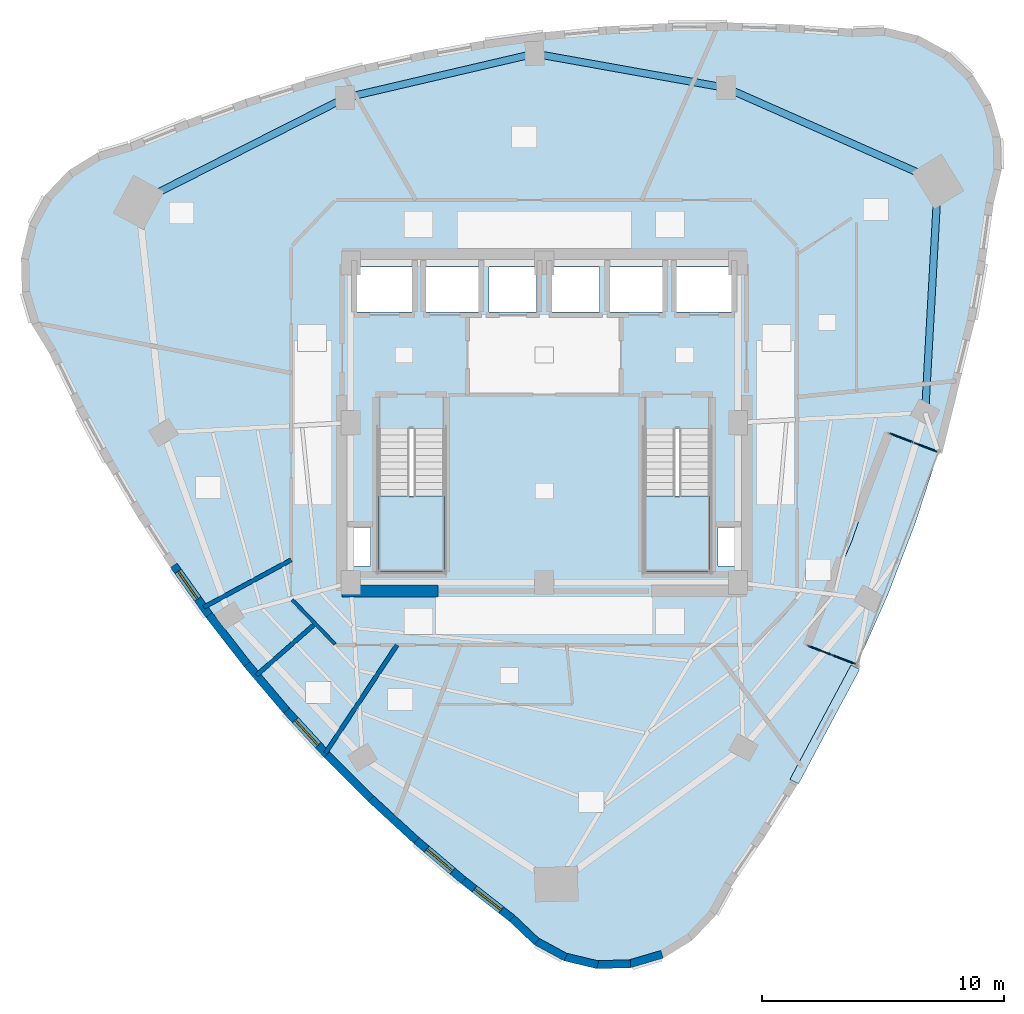
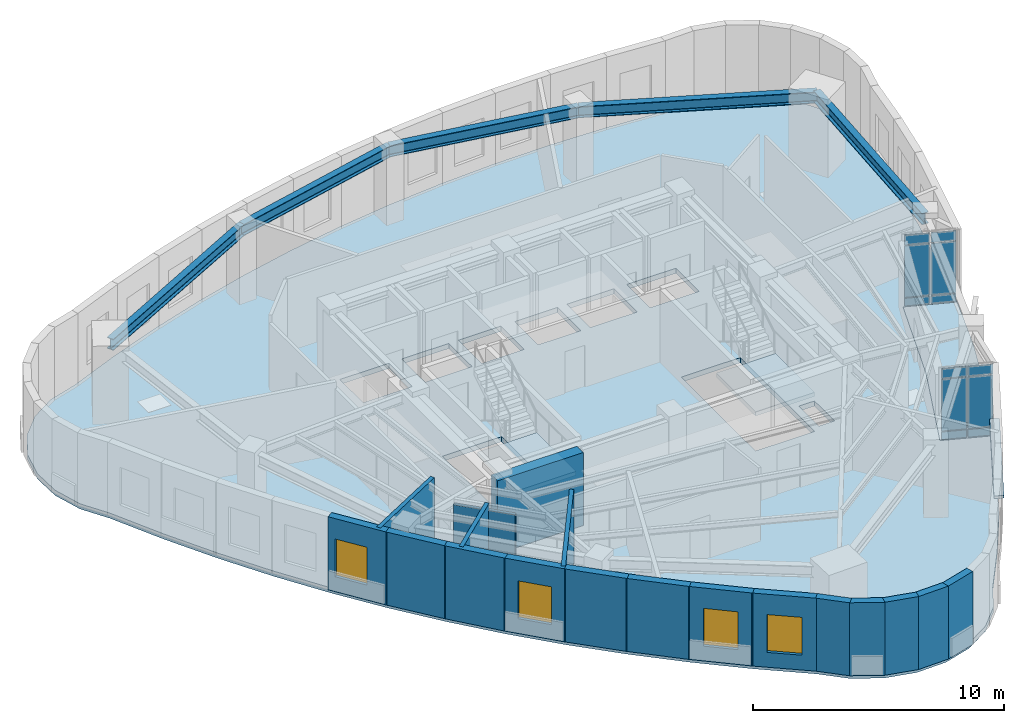
# One storey, part 3 of 10: 18 walls, 13 plates, 5 beams, 4 slabs, 4 windows, 4 openings, 4 elements without a shape of their own.
"""IFC4 building model written with IfcOpenShell, lengths in metres."""

from ifc_helpers import new_model, si_unit, direction, frame, frame_2d, origin, origin_2d, place, context, subcontext, project, spatial, polyline, rectangle, i_section, outline, extrude, material, layer, layer_set, material_profile, profile_set, type_object, element, fill, aggregate, save


model = new_model("IFC4")

# Units and contexts
model_context = context("Model", 3, precision=1e-05, world=origin(), true_north=direction((0.0, 1.0)))
body_context = subcontext(model_context, "Body", "Model", "MODEL_VIEW")
ifc_project = project(units=[si_unit("LENGTHUNIT", "METRE"), si_unit("AREAUNIT", "SQUARE_METRE"), si_unit("VOLUMEUNIT", "CUBIC_METRE"), si_unit("PLANEANGLEUNIT", "RADIAN"), si_unit("MASSUNIT", "GRAM", prefix="KILO")], contexts=[model_context])

# Site, building, storey
site_placement = place(None, origin())
site = spatial("IfcSite", under=ifc_project, at=site_placement, CompositionType="ELEMENT")
building_placement = place(site_placement, origin())
building = spatial("IfcBuilding", under=site, at=building_placement, Name="Ndelora Gate Hotel", CompositionType="ELEMENT")
storey_placement = place(building_placement, frame((0.0, 0.0, 239.75)))
storey = spatial("IfcBuildingStorey", under=building, at=storey_placement, Name="L60", CompositionType="ELEMENT", Elevation=239.75)

# Beams
ifc_material_1 = material(Name="Steel S355", Category="steel")
ifc_material_profile = material_profile(ifc_material_1, i_section(OverallWidth=0.300048828125, OverallDepth=0.550048828125, WebThickness=0.014892578125, FlangeThickness=0.029052734375, FilletRadius=0.027099609375, at=origin_2d()), Name="HEB 550")
ifc_profile_set = profile_set([ifc_material_profile], Name="Steel S355")
beam_type = type_object("IfcBeamType", Name="BM-RING-550", PredefinedType="SPANDREL", material=ifc_profile_set)
beam_1_placement = place(storey_placement, frame((15.72998046875, 0.411865234375, 3.27490234375), z_axis=(0.055426206248, 0.998462786318, 0.0), x_axis=(-0.998462786318, 0.055426206248, 0.0)))
element("IfcBeam", 1, at=beam_1_placement, inside=storey, type_object=beam_type, Name="L60 Perimeter Spandrel Girder 8", PredefinedType="SPANDREL", context=body_context, shape_type="SweptSolid", body=[
    extrude(i_section(OverallWidth=0.300048828125, OverallDepth=0.550048828125, WebThickness=0.014892578125, FlangeThickness=0.029052734375, FilletRadius=0.027099609375, at=origin_2d()), origin(), (0.0, 0.0, 1.0), 9.567138671875),
])
beam_2_placement = place(storey_placement, frame((16.26025390625, 9.96435546875, 3.27490234375), z_axis=(-0.914807449647, 0.403890245078, 0.0), x_axis=(-0.403890245078, -0.914807449647, 0.0)))
element("IfcBeam", 2, at=beam_2_placement, inside=storey, type_object=beam_type, Name="L60 Perimeter Spandrel Girder 9", PredefinedType="SPANDREL", context=body_context, shape_type="SweptSolid", body=[
    extrude(i_section(OverallWidth=0.300048828125, OverallDepth=0.550048828125, WebThickness=0.014892578125, FlangeThickness=0.029052734375, FilletRadius=0.027099609375, at=origin_2d()), origin(), (0.0, 0.0, 1.0), 9.56689453125),
])
for number, where, z_axis, x_axis, name in (
    (3, (7.50830078125, 13.828369140625, 3.27490234375), (-0.984373619655, 0.176092523767, 0.0), (-0.176092523767, -0.984373619655, 0.0), "L60 Perimeter Spandrel Girder 10"),
    (4, (-0.399169921875, 15.242919921875, 3.27490234375), (-0.973809142107, -0.227367004529, 0.0), (0.227367004529, -0.973809142107, 0.0), "L60 Perimeter Spandrel Girder 11"),
):
    element("IfcBeam", number, at=place(storey_placement, frame(where, z_axis=z_axis, x_axis=x_axis)), inside=storey, type_object=beam_type, Name=name, PredefinedType="SPANDREL", context=body_context, shape_type="SweptSolid", body=[
        extrude(i_section(OverallWidth=0.300048828125, OverallDepth=0.550048828125, WebThickness=0.014892578125, FlangeThickness=0.029052734375, FilletRadius=0.027099609375, at=origin_2d()), origin(), (0.0, 0.0, 1.0), 8.032958984375),
    ])
beam_3_placement = place(storey_placement, frame((-8.2216796875, 13.41650390625, 3.27490234375), z_axis=(-0.89241242978, -0.451220628045, 0.0), x_axis=(0.451220628045, -0.89241242978, 0.0)))
element("IfcBeam", 5, at=beam_3_placement, inside=storey, type_object=beam_type, Name="L60 Perimeter Spandrel Girder 12", PredefinedType="SPANDREL", context=body_context, shape_type="SweptSolid", body=[
    extrude(i_section(OverallWidth=0.300048828125, OverallDepth=0.550048828125, WebThickness=0.014892578125, FlangeThickness=0.029052734375, FilletRadius=0.027099609375, at=origin_2d()), origin(), (0.0, 0.0, 1.0), 9.567138671875),
])

# Curtain wall, plates
ifc_material_2 = material(Name="Bronze Anodised Unitised Aluminium and Low-E Glass", Category="aluminium")
ifc_layer_1 = layer(ifc_material_2, 0.199951171875)
ifc_layer_set_1 = layer_set([ifc_layer_1], Name="Bronze Anodised Unitised Aluminium and Low-E Glass")
curtain_wall_type = type_object("IfcCurtainWallType", Name="CW-SYS-3", PredefinedType="NOTDEFINED", material=ifc_layer_set_1)
curtain_wall_1_placement = place(storey_placement, origin())
curtain_wall_1 = element("IfcCurtainWall", 6, at=curtain_wall_1_placement, inside=storey, type_object=curtain_wall_type, Name="L60 Sky-Garden Loggia Side Curtain Wall CW3-1", PredefinedType="NOTDEFINED")
ifc_material_3 = material(Name="Solar-Control Low-E Insulated Glazing", Category="glass")
ifc_layer_2 = layer(ifc_material_3, 0.048095703125)
ifc_layer_set_2 = layer_set([ifc_layer_2], Name="Solar-Control Low-E Insulated Glazing")
plate_type_1 = type_object("IfcPlateType", Name="PL-CW-GLZ36", PredefinedType="CURTAIN_PANEL", material=ifc_layer_set_2)
plate_1_placement = place(storey_placement, frame((11.38232421875, -9.403564453125, 0.05908203125), z_axis=(0.0, 0.0, 1.0), x_axis=(0.933577378035, -0.35837589096, 0.0)))
plate_1 = element("IfcPlate", 7, at=plate_1_placement, type_object=plate_type_1, Name="CW3 panel 1.1", PredefinedType="CURTAIN_PANEL", context=body_context, shape_type="SweptSolid", body=[
    extrude(rectangle(XDim=1.014404296875, YDim=0.048095703125, at=origin_2d()), origin(), (0.0, 0.0, 1.0), 0.364501953125),
])
plate_2_placement = place(storey_placement, frame((11.38232421875, -9.403564453125, 0.4765625), z_axis=(0.0, 0.0, 1.0), x_axis=(0.933577378035, -0.35837589096, 0.0)))
plate_2 = element("IfcPlate", 8, at=plate_2_placement, type_object=plate_type_1, Name="CW3 panel 1.2", PredefinedType="CURTAIN_PANEL", context=body_context, shape_type="SweptSolid", body=[
    extrude(rectangle(XDim=1.014404296875, YDim=0.048095703125, at=origin_2d()), origin(), (0.0, 0.0, 1.0), 2.4970703125),
])
plate_3_placement = place(storey_placement, frame((11.38232421875, -9.403564453125, 3.0263671875), z_axis=(0.0, 0.0, 1.0), x_axis=(0.933577378035, -0.35837589096, 0.0)))
plate_3 = element("IfcPlate", 9, at=plate_3_placement, type_object=plate_type_1, Name="CW3 panel 1.3", PredefinedType="CURTAIN_PANEL", context=body_context, shape_type="SweptSolid", body=[
    extrude(rectangle(XDim=1.014404296875, YDim=0.048095703125, at=origin_2d()), origin(), (0.0, 0.0, 1.0), 0.464599609375),
])
plate_4_placement = place(storey_placement, frame((12.378662109375, -9.7861328125, 0.05908203125), z_axis=(0.0, 0.0, 1.0), x_axis=(0.933577378035, -0.35837589096, 0.0)))
plate_4 = element("IfcPlate", 10, at=plate_4_placement, type_object=plate_type_1, Name="CW3 panel 2.1", PredefinedType="CURTAIN_PANEL", context=body_context, shape_type="SweptSolid", body=[
    extrude(rectangle(XDim=1.014404296875, YDim=0.048095703125, at=origin_2d()), origin(), (0.0, 0.0, 1.0), 0.364501953125),
])
plate_5_placement = place(storey_placement, frame((12.378662109375, -9.7861328125, 0.4765625), z_axis=(0.0, 0.0, 1.0), x_axis=(0.933577378035, -0.35837589096, 0.0)))
plate_5 = element("IfcPlate", 11, at=plate_5_placement, type_object=plate_type_1, Name="CW3 panel 2.2", PredefinedType="CURTAIN_PANEL", context=body_context, shape_type="SweptSolid", body=[
    extrude(rectangle(XDim=1.014404296875, YDim=0.048095703125, at=origin_2d()), origin(), (0.0, 0.0, 1.0), 2.4970703125),
])
plate_6_placement = place(storey_placement, frame((12.378662109375, -9.7861328125, 3.0263671875), z_axis=(0.0, 0.0, 1.0), x_axis=(0.933577378035, -0.35837589096, 0.0)))
plate_6 = element("IfcPlate", 12, at=plate_6_placement, type_object=plate_type_1, Name="CW3 panel 2.3", PredefinedType="CURTAIN_PANEL", context=body_context, shape_type="SweptSolid", body=[
    extrude(rectangle(XDim=1.014404296875, YDim=0.048095703125, at=origin_2d()), origin(), (0.0, 0.0, 1.0), 0.464599609375),
])
aggregate(curtain_wall_1, [plate_1, plate_2, plate_3, plate_4, plate_5, plate_6])

curtain_wall_2_placement = place(storey_placement, origin())
curtain_wall_2 = element("IfcCurtainWall", 13, at=curtain_wall_2_placement, inside=storey, type_object=curtain_wall_type, Name="L60 Sky-Garden Loggia Side Curtain Wall CW3-2", PredefinedType="NOTDEFINED")
plate_7_placement = place(storey_placement, frame((15.74755859375, -1.010498046875, 0.05908203125), z_axis=(0.0, 0.0, 1.0), x_axis=(-0.93358321574, 0.358360683234, 0.0)))
plate_7 = element("IfcPlate", 14, at=plate_7_placement, type_object=plate_type_1, Name="CW3 panel 1.1", PredefinedType="CURTAIN_PANEL", context=body_context, shape_type="SweptSolid", body=[
    extrude(rectangle(XDim=1.014404296875, YDim=0.048095703125, at=origin_2d()), origin(), (0.0, 0.0, 1.0), 0.364501953125),
])
plate_8_placement = place(storey_placement, frame((15.74755859375, -1.010498046875, 0.4765625), z_axis=(0.0, 0.0, 1.0), x_axis=(-0.93358321574, 0.358360683234, 0.0)))
plate_8 = element("IfcPlate", 15, at=plate_8_placement, type_object=plate_type_1, Name="CW3 panel 1.2", PredefinedType="CURTAIN_PANEL", context=body_context, shape_type="SweptSolid", body=[
    extrude(rectangle(XDim=1.014404296875, YDim=0.048095703125, at=origin_2d()), origin(), (0.0, 0.0, 1.0), 2.4970703125),
])
plate_9_placement = place(storey_placement, frame((15.74755859375, -1.010498046875, 3.0263671875), z_axis=(0.0, 0.0, 1.0), x_axis=(-0.93358321574, 0.358360683234, 0.0)))
plate_9 = element("IfcPlate", 16, at=plate_9_placement, type_object=plate_type_1, Name="CW3 panel 1.3", PredefinedType="CURTAIN_PANEL", context=body_context, shape_type="SweptSolid", body=[
    extrude(rectangle(XDim=1.014404296875, YDim=0.048095703125, at=origin_2d()), origin(), (0.0, 0.0, 1.0), 0.464599609375),
])
plate_10_placement = place(storey_placement, frame((14.750732421875, -0.6279296875, 0.05908203125), z_axis=(0.0, 0.0, 1.0), x_axis=(-0.93358321574, 0.358360683234, 0.0)))
plate_10 = element("IfcPlate", 17, at=plate_10_placement, type_object=plate_type_1, Name="CW3 panel 2.1", PredefinedType="CURTAIN_PANEL", context=body_context, shape_type="SweptSolid", body=[
    extrude(rectangle(XDim=1.014404296875, YDim=0.048095703125, at=origin_2d()), origin(), (0.0, 0.0, 1.0), 0.364501953125),
])
plate_11_placement = place(storey_placement, frame((14.750732421875, -0.6279296875, 0.4765625), z_axis=(0.0, 0.0, 1.0), x_axis=(-0.93358321574, 0.358360683234, 0.0)))
plate_11 = element("IfcPlate", 18, at=plate_11_placement, type_object=plate_type_1, Name="CW3 panel 2.2", PredefinedType="CURTAIN_PANEL", context=body_context, shape_type="SweptSolid", body=[
    extrude(rectangle(XDim=1.014404296875, YDim=0.048095703125, at=origin_2d()), origin(), (0.0, 0.0, 1.0), 2.4970703125),
])
plate_12_placement = place(storey_placement, frame((14.750732421875, -0.6279296875, 3.0263671875), z_axis=(0.0, 0.0, 1.0), x_axis=(-0.93358321574, 0.358360683234, 0.0)))
plate_12 = element("IfcPlate", 19, at=plate_12_placement, type_object=plate_type_1, Name="CW3 panel 2.3", PredefinedType="CURTAIN_PANEL", context=body_context, shape_type="SweptSolid", body=[
    extrude(rectangle(XDim=1.014404296875, YDim=0.048095703125, at=origin_2d()), origin(), (0.0, 0.0, 1.0), 0.464599609375),
])
aggregate(curtain_wall_2, [plate_7, plate_8, plate_9, plate_10, plate_11, plate_12])

# Plate
ifc_material_4 = material(Name="Precast concrete C40/50", Category="concrete")
ifc_layer_3 = layer(ifc_material_4, 0.125)
ifc_layer_set_3 = layer_set([ifc_layer_3], Name="Precast concrete C40/50")
plate_type_2 = type_object("IfcPlateType", Name="PL-SILL-120", PredefinedType="USERDEFINED", material=ifc_layer_set_3)
plate_13_placement = place(storey_placement, frame((11.58642578125, -12.461669921875, 0.78759765625), z_axis=(0.0, 0.0, 1.0), x_axis=(0.471165834227, 0.882044645501, 0.0)))
element("IfcPlate", 20, at=plate_13_placement, inside=storey, type_object=plate_type_2, Name="L60 Streamline Precast Ribbon Sill 31", ObjectType="RIBBON_SILL", PredefinedType="USERDEFINED", context=body_context, shape_type="SweptSolid", body=[
    extrude(rectangle(XDim=5.35693359375, YDim=0.39990234375, at=origin_2d()), origin(), (0.0, 0.0, 1.0), 0.125),
])

# Stair, slab
stair_type = type_object("IfcStairType", Name="STR-DOG-CORE", PredefinedType="HALF_TURN_STAIR", material=ifc_material_4)
stair_1_placement = place(storey_placement, origin())
stair_1 = element("IfcStair", 21, at=stair_1_placement, inside=storey, type_object=stair_type, Name="L60 Protected Core Exit Stair ST4", PredefinedType="HALF_TURN_STAIR")
ifc_layer_4 = layer(ifc_material_4, 0.219970703125)
ifc_layer_set_4 = layer_set([ifc_layer_4], Name="Precast concrete C40/50")
slab_type_1 = type_object("IfcSlabType", Name="SL-LAND-220", PredefinedType="LANDING", material=ifc_layer_set_4)
slab_1_placement = place(storey_placement, frame((0.0, 0.0, 1.699951171875)))
slab_1 = element("IfcSlab", 22, at=slab_1_placement, type_object=slab_type_1, Name="ST4 landing 1", PredefinedType="LANDING", context=body_context, shape_type="SweptSolid", body=[
    extrude(outline(polyline([(-6.85009765625, -3.030029296875), (-6.85009765625, -6.14990234375), (-4.1298828125, -6.14990234375), (-4.1298828125, -3.030029296875), (-6.85009765625, -3.030029296875)])), origin(), (0.0, 0.0, 1.0), 0.199951171875),
])
aggregate(stair_1, [slab_1])

stair_2_placement = place(storey_placement, origin())
stair_2 = element("IfcStair", 23, at=stair_2_placement, inside=storey, type_object=stair_type, Name="L60 Protected Core Exit Stair ST5", PredefinedType="HALF_TURN_STAIR")
slab_2_placement = place(storey_placement, frame((0.0, 0.0, 1.699951171875)))
slab_2 = element("IfcSlab", 24, at=slab_2_placement, type_object=slab_type_1, Name="ST5 landing 1", PredefinedType="LANDING", context=body_context, shape_type="SweptSolid", body=[
    extrude(outline(polyline([(4.1298828125, -3.030029296875), (4.1298828125, -6.14990234375), (6.85009765625, -6.14990234375), (6.85009765625, -3.030029296875), (4.1298828125, -3.030029296875)])), origin(), (0.0, 0.0, 1.0), 0.199951171875),
])
aggregate(stair_2, [slab_2])

# Slabs
ifc_layer_5 = layer(ifc_material_4, 0.239990234375)
ifc_layer_set_5 = layer_set([ifc_layer_5], Name="Precast concrete C40/50")
slab_type_2 = type_object("IfcSlabType", Name="SL-TER-240", PredefinedType="FLOOR", material=ifc_layer_set_5)
slab_3_placement = place(storey_placement, frame((0.0, 0.0, -0.239990234375)))
element("IfcSlab", 25, at=slab_3_placement, inside=storey, type_object=slab_type_2, Name="L60 Sky Garden Loggia Terrace Slab", PredefinedType="FLOOR", context=body_context, shape_type="SweptSolid", body=[
    extrude(outline(polyline([(10.853515625, -9.20068359375), (12.907470703125, -9.989013671875), (14.171142578125, -7.151611328125), (15.316650390625, -4.167724609375), (16.276123046875, -1.21337890625), (14.22216796875, -0.425048828125), (12.7099609375, -4.87890625), (10.853515625, -9.20068359375)])), origin(), (0.0, 0.0, 1.0), 0.239990234375),
])
ifc_material_5 = material(Name="Concrete C40/50", Category="concrete")
ifc_layer_6 = layer(ifc_material_5, 0.25)
ifc_layer_set_6 = layer_set([ifc_layer_6], Name="Concrete C40/50")
slab_type_3 = type_object("IfcSlabType", Name="SL-TWR-250", PredefinedType="FLOOR", material=ifc_layer_set_6)
slab_4_placement = place(storey_placement, frame((0.0, 0.0, -0.25)))
element("IfcSlab", 26, at=slab_4_placement, inside=storey, type_object=slab_type_3, Name="L60 Structural Floor Slab", PredefinedType="FLOOR", context=body_context, shape_type="SweptSolid", body=[
    extrude(outline(polyline([(-17.084228515625, 11.381591796875), (-18.3857421875, 10.99609375), (-19.543212890625, 10.286865234375), (-20.4775390625, 9.30224609375), (-21.125244140625, 8.109375), (-21.442138671875, 6.789306640625), (-21.40673828125, 5.432373046875), (-21.02099609375, 4.130615234375), (-20.31201171875, 2.973388671875), (-19.179931640625, 0.653076171875), (-17.966064453125, -1.600830078125), (-16.669921875, -3.788330078125), (-15.2919921875, -5.909423828125), (-13.83203125, -7.964111328125), (-12.289794921875, -9.9521484375), (-10.665771484375, -11.873779296875), (-8.959716796875, -13.729248046875), (-7.17138671875, -15.51806640625), (-5.30126953125, -17.240478515625), (-3.34912109375, -18.896484375), (-1.314697265625, -20.486083984375), (-0.330078125, -21.420654296875), (0.86279296875, -22.068359375), (2.182861328125, -22.38525390625), (3.539794921875, -22.349609375), (4.84130859375, -21.964111328125), (5.998779296875, -21.2548828125), (6.933349609375, -20.270263671875), (7.5810546875, -19.0771484375), (8.968505859375, -17.023193359375), (10.265380859375, -14.93408203125), (12.907470703125, -9.989013671875), (10.853515625, -9.20068359375), (12.7099609375, -4.87890625), (14.22216796875, -0.425048828125), (16.276123046875, -1.21337890625), (17.62158203125, 4.229248046875), (18.0556640625, 6.6494140625), (18.39892578125, 9.1044921875), (18.7158203125, 10.42431640625), (18.680419921875, 11.781494140625), (18.294921875, 13.0830078125), (17.58544921875, 14.240478515625), (16.600830078125, 15.1748046875), (15.40771484375, 15.822509765625), (14.087890625, 16.139404296875), (12.73095703125, 16.10400390625), (10.155517578125, 16.28369140625), (7.5966796875, 16.359619140625), (5.05419921875, 16.330810546875), (2.5283203125, 16.197998046875), (0.01904296875, 15.960693359375), (-2.473876953125, 15.619384765625), (-4.9501953125, 15.173828125), (-7.409912109375, 14.623779296875), (-9.853271484375, 13.9697265625), (-12.280029296875, 13.211181640625), (-14.6904296875, 12.3486328125), (-17.084228515625, 11.381591796875)]), holes=[polyline([(-6.85009765625, -0.22998046875), (-6.85009765625, -6.14990234375), (-4.1298828125, -6.14990234375), (-4.1298828125, -0.22998046875), (-6.85009765625, -0.22998046875)]), polyline([(4.1298828125, -0.22998046875), (4.1298828125, -6.14990234375), (6.85009765625, -6.14990234375), (6.85009765625, -0.22998046875), (4.1298828125, -0.22998046875)]), polyline([(-7.72998046875, 4.570068359375), (-5.469970703125, 4.570068359375), (-5.469970703125, 6.429931640625), (-7.72998046875, 6.429931640625), (-7.72998046875, 4.570068359375)]), polyline([(5.469970703125, 4.570068359375), (7.72998046875, 4.570068359375), (7.72998046875, 6.429931640625), (5.469970703125, 6.429931640625), (5.469970703125, 4.570068359375)]), polyline([(-4.8798828125, 4.570068359375), (-2.719970703125, 4.570068359375), (-2.719970703125, 6.429931640625), (-4.8798828125, 6.429931640625), (-4.8798828125, 4.570068359375)]), polyline([(2.719970703125, 4.570068359375), (4.8798828125, 4.570068359375), (4.8798828125, 6.429931640625), (2.719970703125, 6.429931640625), (2.719970703125, 4.570068359375)]), polyline([(-2.280029296875, 4.570068359375), (-0.320068359375, 4.570068359375), (-0.320068359375, 6.429931640625), (-2.280029296875, 6.429931640625), (-2.280029296875, 4.570068359375)]), polyline([(0.320068359375, 4.570068359375), (2.280029296875, 4.570068359375), (2.280029296875, 6.429931640625), (0.320068359375, 6.429931640625), (0.320068359375, 4.570068359375)]), polyline([(-7.89990234375, -5.919921875), (-7.179931640625, -5.919921875), (-7.179931640625, -4.320068359375), (-7.89990234375, -4.320068359375), (-7.89990234375, -5.919921875)]), polyline([(7.179931640625, -5.919921875), (7.89990234375, -5.919921875), (7.89990234375, -4.320068359375), (7.179931640625, -4.320068359375), (7.179931640625, -5.919921875)])]), origin(), (0.0, 0.0, 1.0), 0.25),
])

# Walls
ifc_material_6 = material(Name="Acoustic Double-Stud Gypsum Assembly", Category="gypsum")
ifc_layer_7 = layer(ifc_material_6, 0.179931640625)
ifc_layer_set_7 = layer_set([ifc_layer_7], Name="Acoustic Double-Stud Gypsum Assembly")
wall_type_1 = type_object("IfcWallType", Name="WL-ACOUST-180", PredefinedType="PARTITIONING", material=ifc_layer_set_7)
wall_1_placement = place(storey_placement, frame((-10.449951171875, -5.665283203125, 0.0), z_axis=(0.0, 0.0, 1.0), x_axis=(-0.879154356789, -0.476537109718, 0.0)))
element("IfcWall", 27, at=wall_1_placement, inside=storey, type_object=wall_type_1, Name="L60 Interior Wall IW-3", PredefinedType="PARTITIONING", context=body_context, shape_type="SweptSolid", body=[
    extrude(rectangle(XDim=4.11865234375, YDim=0.179931640625, at=frame_2d((2.059326171875, 0.0))), origin(), (0.0, 0.0, 1.0), 3.550048828125),
])
wall_2_placement = place(storey_placement, frame((-9.464111328125, -8.3037109375, 0.0), z_axis=(0.0, 0.0, 1.0), x_axis=(-0.751698496635, -0.659506914411, 0.0)))
element("IfcWall", 28, at=wall_2_placement, inside=storey, type_object=wall_type_1, Name="L60 Interior Wall IW-3", PredefinedType="PARTITIONING", context=body_context, shape_type="SweptSolid", body=[
    extrude(rectangle(XDim=3.222900390625, YDim=0.179931640625, at=frame_2d((1.611328125, 0.0))), origin(), (0.0, 0.0, 1.0), 3.550048828125),
])
wall_3_placement = place(storey_placement, frame((-6.081787109375, -9.179931640625, 0.0), z_axis=(0.0, 0.0, 1.0), x_axis=(-0.552266974528, -0.833667313048, 0.0)))
element("IfcWall", 29, at=wall_3_placement, inside=storey, type_object=wall_type_1, Name="L60 Interior Wall IW-3", PredefinedType="PARTITIONING", context=body_context, shape_type="SweptSolid", body=[
    extrude(rectangle(XDim=5.35400390625, YDim=0.179931640625, at=frame_2d((2.677001953125, 0.0))), origin(), (0.0, 0.0, 1.0), 3.550048828125),
])

# Wall, opening, window
ifc_material_7 = material(Name="Clay Brick Masonry", Category="masonry")
ifc_layer_8 = layer(ifc_material_7, 0.330078125)
ifc_layer_set_8 = layer_set([ifc_layer_8], Name="Clay Brick Masonry")
wall_type_2 = type_object("IfcWallType", Name="WL-BRICK-330", PredefinedType="SOLIDWALL", material=ifc_layer_set_8)
wall_4_placement = place(storey_placement, frame((-13.8173828125, -7.984375, 0.0), z_axis=(0.0, 0.0, 1.0), x_axis=(-0.579242009098, 0.815155626182, 0.0)))
wall_4 = element("IfcWall", 30, at=wall_4_placement, inside=storey, type_object=wall_type_2, Name="L60 Tower Brick Pier-and-Spandrel Wall TWR-13", PredefinedType="SOLIDWALL", context=body_context, shape_type="SweptSolid", body=[
    extrude(rectangle(XDim=2.570556640625, YDim=0.330078125, at=frame_2d((1.28515625, 0.0))), origin(), (0.0, 0.0, 1.0), 3.550048828125),
])
opening_1_placement = place(wall_4_placement, frame((0.860107421875, 0.0, 0.719970703125)))
opening_1 = element("IfcOpeningElement", 31, at=opening_1_placement, cuts=wall_4, Name="Opening W02", PredefinedType="OPENING", context=body_context, shape_type="SweptSolid", body=[
    extrude(rectangle(XDim=1.39990234375, YDim=1.840087890625, at=frame_2d((0.699951171875, 0.919921875))), frame((0.0, 0.175048828125, 0.0), z_axis=(0.0, -1.0, 0.0), x_axis=(1.0, 0.0, 0.0)), (0.0, 0.0, 1.0), 0.35009765625),
])
ifc_material_8 = material(Name="Insulated Low-E Double Glazing in Bronze Aluminium Frame", Category="aluminium")
window_type = type_object("IfcWindowType", Name="WN-DEEP-1400", PartitioningType="SINGLE_PANEL", PredefinedType="WINDOW", material=ifc_material_8)
window_1_placement = place(opening_1_placement, origin())
window_1 = element("IfcWindow", 32, at=window_1_placement, inside=storey, type_object=window_type, Name="L60 Deep-Set Brick-Pier Window W02", OverallHeight=1.840087890625, OverallWidth=1.39990234375, PartitioningType="SINGLE_PANEL", PredefinedType="WINDOW", context=body_context, shape_type="SweptSolid", body=[
    extrude(rectangle(XDim=1.39990234375, YDim=1.840087890625, at=frame_2d((0.699951171875, 0.919921875))), frame((0.0, 0.030029296875, 0.0), z_axis=(0.0, -1.0, 0.0), x_axis=(1.0, 0.0, 0.0)), (0.0, 0.0, 1.0), 0.06005859375),
])
fill(opening_1, window_1)

# Walls
for number, where, z_axis, x_axis, name in (
    (33, (-12.274658203125, -9.971923828125, 0.0), (0.0, 0.0, 1.0), (-0.612859890166, 0.790191593872, 0.0), "L60 Tower Brick Pier-and-Spandrel Wall TWR-14"),
    (34, (-10.649658203125, -11.89306640625, 0.0), (0.0, 0.0, 1.0), (-0.645447364319, 0.763804752469, 0.0), "L60 Tower Brick Pier-and-Spandrel Wall TWR-15"),
):
    element("IfcWall", number, at=place(storey_placement, frame(where, z_axis=z_axis, x_axis=x_axis)), inside=storey, type_object=wall_type_2, Name=name, PredefinedType="SOLIDWALL", context=body_context, shape_type="SweptSolid", body=[
        extrude(rectangle(XDim=2.566162109375, YDim=0.330078125, at=frame_2d((1.283203125, 0.0))), origin(), (0.0, 0.0, 1.0), 3.550048828125),
    ])

# Wall, opening, window
wall_5_placement = place(storey_placement, frame((-8.94287109375, -13.74755859375, 0.0), z_axis=(0.0, 0.0, 1.0), x_axis=(-0.676850734721, 0.736120291059, 0.0)))
wall_5 = element("IfcWall", 35, at=wall_5_placement, inside=storey, type_object=wall_type_2, Name="L60 Tower Brick Pier-and-Spandrel Wall TWR-16", PredefinedType="SOLIDWALL", context=body_context, shape_type="SweptSolid", body=[
    extrude(rectangle(XDim=2.5703125, YDim=0.330078125, at=frame_2d((1.28515625, 0.0))), origin(), (0.0, 0.0, 1.0), 3.550048828125),
])
opening_2_placement = place(wall_5_placement, frame((0.585205078125, 0.0, 0.719970703125)))
opening_2 = element("IfcOpeningElement", 36, at=opening_2_placement, cuts=wall_5, Name="Opening W02", PredefinedType="OPENING", context=body_context, shape_type="SweptSolid", body=[
    extrude(rectangle(XDim=1.39990234375, YDim=1.840087890625, at=frame_2d((0.699951171875, 0.919921875))), frame((0.0, 0.175048828125, 0.0), z_axis=(0.0, -1.0, 0.0), x_axis=(1.0, 0.0, 0.0)), (0.0, 0.0, 1.0), 0.35009765625),
])
window_2_placement = place(opening_2_placement, origin())
window_2 = element("IfcWindow", 37, at=window_2_placement, inside=storey, type_object=window_type, Name="L60 Deep-Set Brick-Pier Window W02", OverallHeight=1.840087890625, OverallWidth=1.39990234375, PartitioningType="SINGLE_PANEL", PredefinedType="WINDOW", context=body_context, shape_type="SweptSolid", body=[
    extrude(rectangle(XDim=1.39990234375, YDim=1.840087890625, at=frame_2d((0.699951171875, 0.919921875))), frame((0.0, 0.030029296875, 0.0), z_axis=(0.0, -1.0, 0.0), x_axis=(1.0, 0.0, 0.0)), (0.0, 0.0, 1.0), 0.06005859375),
])
fill(opening_2, window_2)

# Walls
wall_6_placement = place(storey_placement, frame((-7.15380859375, -15.535888671875, 0.0), z_axis=(0.0, 0.0, 1.0), x_axis=(-0.706917462112, 0.707296049587, 0.0)))
element("IfcWall", 38, at=wall_6_placement, inside=storey, type_object=wall_type_2, Name="L60 Tower Brick Pier-and-Spandrel Wall TWR-17", PredefinedType="SOLIDWALL", context=body_context, shape_type="SweptSolid", body=[
    extrude(rectangle(XDim=2.57958984375, YDim=0.330078125, at=frame_2d((1.289794921875, 0.0))), origin(), (0.0, 0.0, 1.0), 3.550048828125),
])
wall_7_placement = place(storey_placement, frame((-5.282958984375, -17.257568359375, 0.0), z_axis=(0.0, 0.0, 1.0), x_axis=(-0.735561158646, 0.677458324837, 0.0)))
element("IfcWall", 39, at=wall_7_placement, inside=storey, type_object=wall_type_2, Name="L60 Tower Brick Pier-and-Spandrel Wall TWR-18", PredefinedType="SOLIDWALL", context=body_context, shape_type="SweptSolid", body=[
    extrude(rectangle(XDim=2.592529296875, YDim=0.330078125, at=frame_2d((1.29638671875, 0.0))), origin(), (0.0, 0.0, 1.0), 3.550048828125),
])

# Wall, opening, window
wall_8_placement = place(storey_placement, frame((-3.329833984375, -18.912841796875, 0.0), z_axis=(0.0, 0.0, 1.0), x_axis=(-0.762587433163, 0.646885157336, 0.0)))
wall_8 = element("IfcWall", 40, at=wall_8_placement, inside=storey, type_object=wall_type_2, Name="L60 Tower Brick Pier-and-Spandrel Wall TWR-19", PredefinedType="SOLIDWALL", context=body_context, shape_type="SweptSolid", body=[
    extrude(rectangle(XDim=2.610107421875, YDim=0.330078125, at=frame_2d((1.30517578125, 0.0))), origin(), (0.0, 0.0, 1.0), 3.550048828125),
])
opening_3_placement = place(wall_8_placement, frame((0.60498046875, 0.0, 0.719970703125)))
opening_3 = element("IfcOpeningElement", 41, at=opening_3_placement, cuts=wall_8, Name="Opening W02", PredefinedType="OPENING", context=body_context, shape_type="SweptSolid", body=[
    extrude(rectangle(XDim=1.39990234375, YDim=1.840087890625, at=frame_2d((0.699951171875, 0.919921875))), frame((0.0, 0.175048828125, 0.0), z_axis=(0.0, -1.0, 0.0), x_axis=(1.0, 0.0, 0.0)), (0.0, 0.0, 1.0), 0.35009765625),
])
window_3_placement = place(opening_3_placement, origin())
window_3 = element("IfcWindow", 42, at=window_3_placement, inside=storey, type_object=window_type, Name="L60 Deep-Set Brick-Pier Window W02", OverallHeight=1.840087890625, OverallWidth=1.39990234375, PartitioningType="SINGLE_PANEL", PredefinedType="WINDOW", context=body_context, shape_type="SweptSolid", body=[
    extrude(rectangle(XDim=1.39990234375, YDim=1.840087890625, at=frame_2d((0.699951171875, 0.919921875))), frame((0.0, 0.030029296875, 0.0), z_axis=(0.0, -1.0, 0.0), x_axis=(1.0, 0.0, 0.0)), (0.0, 0.0, 1.0), 0.06005859375),
])
fill(opening_3, window_3)

wall_9_placement = place(storey_placement, frame((-1.295166015625, -20.501708984375, 0.0), z_axis=(0.0, 0.0, 1.0), x_axis=(-0.787896368853, 0.615807853108, 0.0)))
wall_9 = element("IfcWall", 43, at=wall_9_placement, inside=storey, type_object=wall_type_2, Name="L60 Tower Brick Pier-and-Spandrel Wall TWR-20", PredefinedType="SOLIDWALL", context=body_context, shape_type="SweptSolid", body=[
    extrude(rectangle(XDim=2.631591796875, YDim=0.330078125, at=frame_2d((1.31591796875, 0.0))), origin(), (0.0, 0.0, 1.0), 3.550048828125),
])
opening_4_placement = place(wall_9_placement, frame((0.61572265625, 0.0, 0.719970703125)))
opening_4 = element("IfcOpeningElement", 44, at=opening_4_placement, cuts=wall_9, Name="Opening W02", PredefinedType="OPENING", context=body_context, shape_type="SweptSolid", body=[
    extrude(rectangle(XDim=1.39990234375, YDim=1.840087890625, at=frame_2d((0.699951171875, 0.919921875))), frame((0.0, 0.175048828125, 0.0), z_axis=(0.0, -1.0, 0.0), x_axis=(1.0, 0.0, 0.0)), (0.0, 0.0, 1.0), 0.35009765625),
])
window_4_placement = place(opening_4_placement, origin())
window_4 = element("IfcWindow", 45, at=window_4_placement, inside=storey, type_object=window_type, Name="L60 Deep-Set Brick-Pier Window W02", OverallHeight=1.840087890625, OverallWidth=1.39990234375, PartitioningType="SINGLE_PANEL", PredefinedType="WINDOW", context=body_context, shape_type="SweptSolid", body=[
    extrude(rectangle(XDim=1.39990234375, YDim=1.840087890625, at=frame_2d((0.699951171875, 0.919921875))), frame((0.0, 0.030029296875, 0.0), z_axis=(0.0, -1.0, 0.0), x_axis=(1.0, 0.0, 0.0)), (0.0, 0.0, 1.0), 0.06005859375),
])
fill(opening_4, window_4)

# Walls
for number, where, z_axis, x_axis, name in (
    (46, (-0.31201171875, -21.437744140625, 0.0), (0.0, 0.0, 1.0), (-0.725423722687, 0.688302566146, 0.0), "L60 Tower Brick Pier-and-Spandrel Wall TWR-21"),
    (47, (0.885009765625, -22.080078125, 0.0), (0.0, 0.0, 1.0), (-0.8789012206, 0.47700382014, 0.0), "L60 Tower Brick Pier-and-Spandrel Wall TWR-22"),
):
    element("IfcWall", number, at=place(storey_placement, frame(where, z_axis=z_axis, x_axis=x_axis)), inside=storey, type_object=wall_type_2, Name=name, PredefinedType="SOLIDWALL", context=body_context, shape_type="SweptSolid", body=[
        extrude(rectangle(XDim=1.407470703125, YDim=0.330078125, at=frame_2d((0.70361328125, 0.0))), origin(), (0.0, 0.0, 1.0), 3.550048828125),
    ])
wall_10_placement = place(storey_placement, frame((2.20703125, -22.39111328125, 0.0), z_axis=(0.0, 0.0, 1.0), x_axis=(-0.972355799013, 0.23350417582, 0.0)))
element("IfcWall", 48, at=wall_10_placement, inside=storey, type_object=wall_type_2, Name="L60 Tower Brick Pier-and-Spandrel Wall TWR-23", PredefinedType="SOLIDWALL", context=body_context, shape_type="SweptSolid", body=[
    extrude(rectangle(XDim=1.4072265625, YDim=0.330078125, at=frame_2d((0.70361328125, 0.0))), origin(), (0.0, 0.0, 1.0), 3.550048828125),
])
for number, where, z_axis, x_axis, name in (
    (49, (3.564697265625, -22.34912109375, 0.0), (0.0, 0.0, 1.0), (-0.999656913907, -0.02619264168, 0.0), "L60 Tower Brick Pier-and-Spandrel Wall TWR-24"),
    (50, (4.865478515625, -21.95703125, 0.0), (0.0, 0.0, 1.0), (-0.95884184708, -0.283940684455, 0.0), "L60 Tower Brick Pier-and-Spandrel Wall TWR-25"),
):
    element("IfcWall", number, at=place(storey_placement, frame(where, z_axis=z_axis, x_axis=x_axis)), inside=storey, type_object=wall_type_2, Name=name, PredefinedType="SOLIDWALL", context=body_context, shape_type="SweptSolid", body=[
        extrude(rectangle(XDim=1.407470703125, YDim=0.330078125, at=frame_2d((0.70361328125, 0.0))), origin(), (0.0, 0.0, 1.0), 3.550048828125),
    ])
ifc_material_9 = material(Name="Concrete C50/60", Category="concrete")
ifc_layer_9 = layer(ifc_material_9, 0.5)
ifc_layer_set_9 = layer_set([ifc_layer_9], Name="Concrete C50/60")
wall_type_3 = type_object("IfcWallType", Name="WL-CORE-500", PredefinedType="SHEAR", material=ifc_layer_set_9)
wall_11_placement = place(storey_placement, frame((-8.35009765625, -6.949951171875, 0.0), z_axis=(0.0, 0.0, 1.0), x_axis=(1.0, 0.0, 0.0)))
element("IfcWall", 51, at=wall_11_placement, inside=storey, type_object=wall_type_3, Name="L60 Core Shear Wall S-W", PredefinedType="SHEAR", context=body_context, shape_type="SweptSolid", body=[
    extrude(rectangle(XDim=3.9501953125, YDim=0.5, at=frame_2d((1.97509765625, 0.0))), origin(), (0.0, 0.0, 1.0), 3.550048828125),
])
ifc_material_10 = material(Name="Fire-Rated Gypsum Stud Partition", Category="gypsum")
ifc_layer_10 = layer(ifc_material_10, 0.14990234375)
ifc_layer_set_10 = layer_set([ifc_layer_10], Name="Fire-Rated Gypsum Stud Partition")
wall_type_4 = type_object("IfcWallType", Name="WL-PART-150", PredefinedType="PARTITIONING", material=ifc_layer_set_10)
wall_12_placement = place(storey_placement, frame((-8.647705078125, -9.151123046875, 0.0), z_axis=(0.0, 0.0, 1.0), x_axis=(-0.693764562202, 0.720201869085, 0.0)))
element("IfcWall", 52, at=wall_12_placement, inside=storey, type_object=wall_type_4, Name="L60 Interior Wall IW-5", PredefinedType="PARTITIONING", context=body_context, shape_type="SweptSolid", body=[
    extrude(rectangle(XDim=2.55810546875, YDim=0.14990234375, at=frame_2d((1.279052734375, 0.0))), origin(), (0.0, 0.0, 1.0), 3.22998046875),
])

save(model, "model.ifc")
